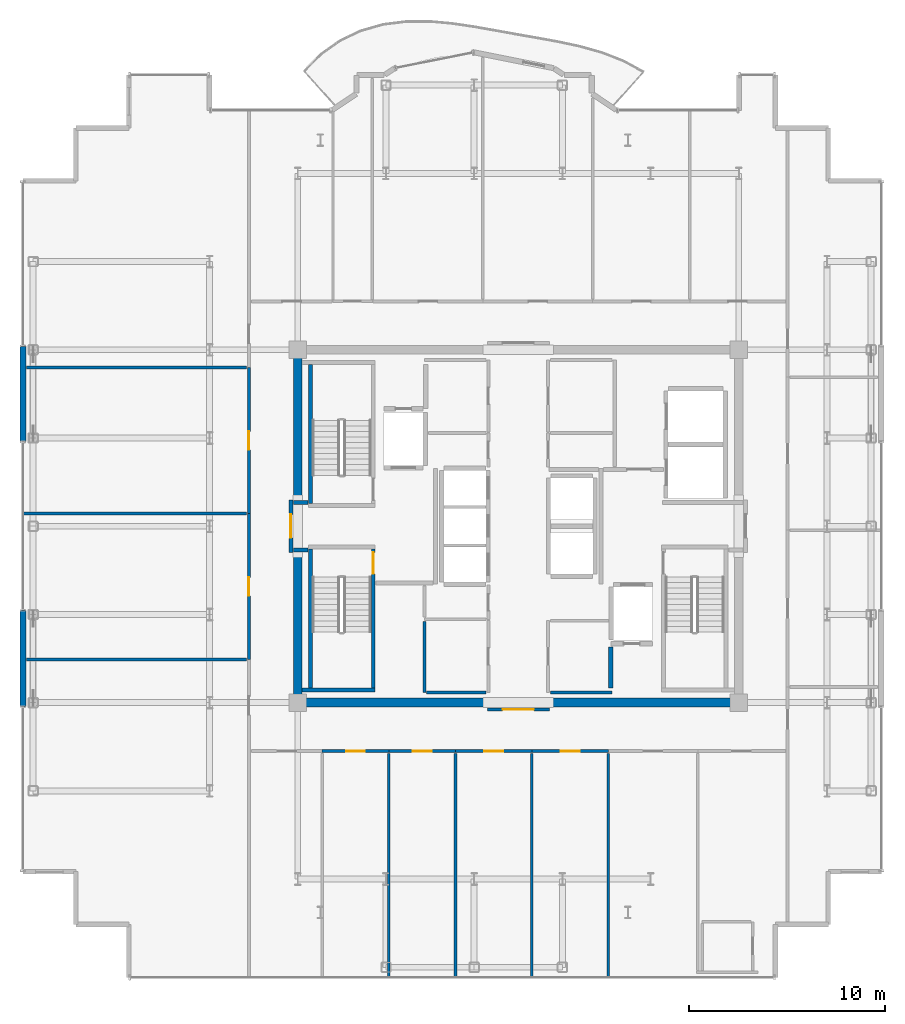
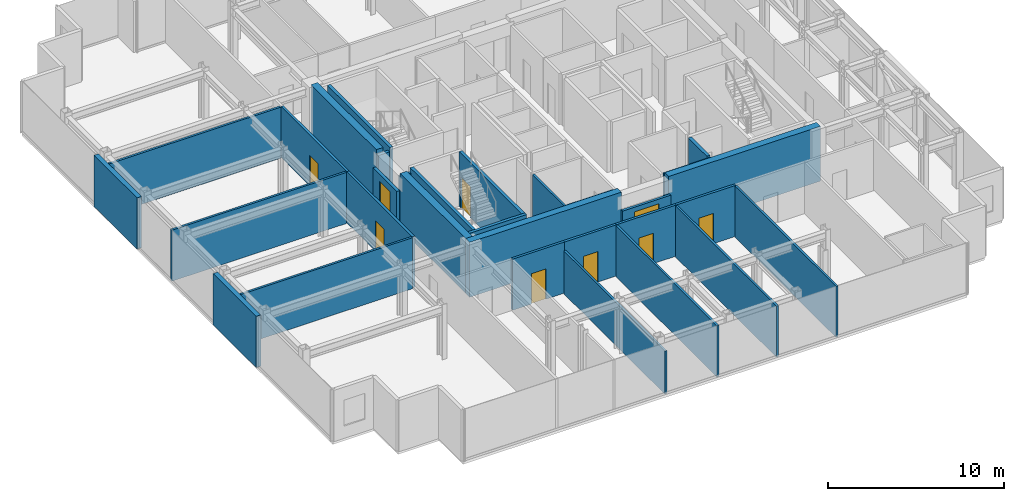
# One storey, part 11 of 16: 31 walls, 9 doors, 9 openings.
"""IFC4 building model written with IfcOpenShell, lengths in metres."""

from ifc_helpers import new_model, si_unit, direction, frame, frame_2d, origin, place, context, subcontext, project, spatial, rectangle, extrude, source, transform, mapped, material, layer, layer_set, type_object, element, fill, save


model = new_model("IFC4")

# Units and contexts
model_context = context("Model", 3, precision=1e-05, world=origin(), true_north=direction((0.0, 1.0)))
body_context = subcontext(model_context, "Body", "Model", "MODEL_VIEW")
ifc_project = project(units=[si_unit("LENGTHUNIT", "METRE"), si_unit("AREAUNIT", "SQUARE_METRE"), si_unit("VOLUMEUNIT", "CUBIC_METRE"), si_unit("PLANEANGLEUNIT", "RADIAN"), si_unit("MASSUNIT", "GRAM", prefix="KILO")], contexts=[model_context])

# Site, building, storey
site_placement = place(None, origin())
site = spatial("IfcSite", under=ifc_project, at=site_placement, CompositionType="ELEMENT")
building_placement = place(site_placement, origin())
building = spatial("IfcBuilding", under=site, at=building_placement, Name="Nefas-Gora Pilgrimage Tower", CompositionType="ELEMENT")
storey_placement = place(building_placement, frame((0.0, 0.0, 310.199951171875)))
storey = spatial("IfcBuildingStorey", under=building, at=storey_placement, Name="L78", CompositionType="ELEMENT", Elevation=310.199951171875)

# Walls
ifc_material_1 = material(Name="Concrete C50/60", Category="concrete")
ifc_layer_1 = layer(ifc_material_1, 0.449951171875)
ifc_layer_set_1 = layer_set([ifc_layer_1], Name="Concrete C50/60")
wall_type_1 = type_object("IfcWallType", Name="SW-CORE-450", PredefinedType="SHEAR", material=ifc_layer_set_1)
shared_shape_1 = source(origin(), body_context, "Body", "SweptSolid", [
    extrude(rectangle(XDim=9.925048828125, YDim=0.449951171875, at=frame_2d((4.96240234375, 0.0))), origin(), (0.0, 0.0, 1.0), 3.800048828125),
])
for number, where, z_axis, x_axis, name in (
    (1, (-11.47509765625, -9.0, 0.0), (0.0, 0.0, 1.0), (1.0, 0.0, 0.0), "L78 Core Shear Wall S-West"),
    (2, (1.550048828125, -9.0, 0.0), (0.0, 0.0, 1.0), (1.0, 0.0, 0.0), "L78 Core Shear Wall S-East"),
):
    element("IfcWall", number, at=place(storey_placement, frame(where, z_axis=z_axis, x_axis=x_axis)), inside=storey, type_object=wall_type_1, Name=name, PredefinedType="SHEAR", context=body_context, shape_type="MappedRepresentation", body=[
        mapped(shared_shape_1, transform((0.0, 0.0, 0.0), x_axis=(1.0, 0.0, 0.0), y_axis=(0.0, 1.0, 0.0), z_axis=(0.0, 0.0, 1.0), scale=1.0)),
    ])
shared_shape_2 = source(origin(), body_context, "Body", "SweptSolid", [
    extrude(rectangle(XDim=7.4248046875, YDim=0.449951171875, at=frame_2d((3.71240234375, 0.0))), origin(), (0.0, 0.0, 1.0), 3.800048828125),
])
for number, where, z_axis, x_axis, name in (
    (3, (-11.25, -8.77490234375, 0.0), (0.0, 0.0, 1.0), (0.0, 1.0, 0.0), "L78 Core Shear Wall W-South"),
    (4, (-11.25, 1.35009765625, 0.0), (0.0, 0.0, 1.0), (0.0, 1.0, 0.0), "L78 Core Shear Wall W-North"),
):
    element("IfcWall", number, at=place(storey_placement, frame(where, z_axis=z_axis, x_axis=x_axis)), inside=storey, type_object=wall_type_1, Name=name, PredefinedType="SHEAR", context=body_context, shape_type="MappedRepresentation", body=[
        mapped(shared_shape_2, transform((0.0, 0.0, 0.0), x_axis=(1.0, 0.0, 0.0), y_axis=(0.0, 1.0, 0.0), z_axis=(0.0, 0.0, 1.0), scale=1.0)),
    ])
ifc_material_2 = material(Name="Precast concrete C45/55", Category="concrete")
ifc_layer_2 = layer(ifc_material_2, 0.239990234375)
ifc_layer_set_2 = layer_set([ifc_layer_2], Name="Precast concrete C45/55")
wall_type_2 = type_object("IfcWallType", Name="EW-SERR-240", PredefinedType="SHEAR", material=ifc_layer_set_2)
shared_shape_3 = source(origin(), body_context, "Body", "SweptSolid", [
    extrude(rectangle(XDim=4.8798828125, YDim=0.300048828125, at=frame_2d((2.43994140625, 0.0))), origin(), (0.0, 0.0, 1.0), 3.550048828125),
])
for number, where, z_axis, x_axis, name in (
    (5, (-25.27001953125, -9.18994140625, 0.0), (0.0, 0.0, 1.0), (0.0, 1.0, 0.0), "L78 Braced-Tube Precast Shear Cladding 1"),
    (6, (-25.27001953125, 4.31005859375, 0.0), (0.0, 0.0, 1.0), (0.0, 1.0, 0.0), "L78 Braced-Tube Precast Shear Cladding 2"),
):
    element("IfcWall", number, at=place(storey_placement, frame(where, z_axis=z_axis, x_axis=x_axis)), inside=storey, type_object=wall_type_2, Name=name, PredefinedType="SHEAR", context=body_context, shape_type="MappedRepresentation", body=[
        mapped(shared_shape_3, transform((0.0, 0.0, 0.0), x_axis=(1.0, 0.0, 0.0), y_axis=(0.0, 1.0, 0.0), z_axis=(0.0, 0.0, 1.0), scale=1.0)),
    ])
ifc_material_3 = material(Name="Concrete C45/55", Category="concrete")
ifc_layer_3 = layer(ifc_material_3, 0.199951171875)
ifc_layer_set_3 = layer_set([ifc_layer_3], Name="Concrete C45/55")
wall_type_3 = type_object("IfcWallType", Name="IW-STAIR-200", PredefinedType="SOLIDWALL", material=ifc_layer_set_3)
shared_shape_4 = source(origin(), body_context, "Body", "SweptSolid", [
    extrude(rectangle(XDim=7.10009765625, YDim=0.199951171875, at=frame_2d((3.550048828125, 0.0))), origin(), (0.0, 0.0, 1.0), 3.800048828125),
])
for number, where, z_axis, x_axis, name in (
    (7, (-10.60009765625, 1.14990234375, 0.0), (0.0, 0.0, 1.0), (0.0, 1.0, 0.0), "L78 Stairwell Shear Wall ST-01-right"),
    (8, (-10.60009765625, -1.14990234375, 0.0), (0.0, 0.0, 1.0), (0.0, -1.0, 0.0), "L78 Stairwell Shear Wall ST-03-left"),
):
    element("IfcWall", number, at=place(storey_placement, frame(where, z_axis=z_axis, x_axis=x_axis)), inside=storey, type_object=wall_type_3, Name=name, PredefinedType="SOLIDWALL", context=body_context, shape_type="MappedRepresentation", body=[
        mapped(shared_shape_4, transform((0.0, 0.0, 0.0), x_axis=(1.0, 0.0, 0.0), y_axis=(0.0, 1.0, 0.0), z_axis=(0.0, 0.0, 1.0), scale=1.0)),
    ])

# Wall, opening, door
wall_1_placement = place(storey_placement, frame((-7.39990234375, -1.14990234375, 0.0), z_axis=(0.0, 0.0, 1.0), x_axis=(0.0, -1.0, 0.0)))
wall_1 = element("IfcWall", 9, at=wall_1_placement, inside=storey, type_object=wall_type_3, Name="L78 Stairwell Shear Wall ST-03-right", PredefinedType="SOLIDWALL", context=body_context, shape_type="MappedRepresentation", body=[
    mapped(shared_shape_4, transform((0.0, 0.0, 0.0), x_axis=(1.0, 0.0, 0.0), y_axis=(0.0, 1.0, 0.0), z_axis=(0.0, 0.0, 1.0), scale=1.0)),
])
opening_1_placement = place(wall_1_placement, frame((0.179931640625, 0.0, 0.0)))
opening_1 = element("IfcOpeningElement", 10, at=opening_1_placement, cuts=wall_1, Name="Opening ID-ST1", PredefinedType="OPENING", context=body_context, shape_type="SweptSolid", body=[
    extrude(rectangle(XDim=1.10009765625, YDim=2.14990234375, at=frame_2d((0.550048828125, 1.074951171875))), frame((0.0, 0.10986328125, 0.0), z_axis=(0.0, -1.0, 0.0), x_axis=(1.0, 0.0, 0.0)), (0.0, 0.0, 1.0), 0.219970703125),
])
ifc_material_4 = material(Name="Painted galvanised steel fire stair door", Category="steel")
door_type_1 = type_object("IfcDoorType", Name="DR-INT-STAIR-1100", OperationType="NOTDEFINED", PredefinedType="DOOR", material=ifc_material_4)
shared_shape_5 = source(origin(), body_context, "Body", "SweptSolid", [
    extrude(rectangle(XDim=1.10009765625, YDim=2.14990234375, at=frame_2d((0.550048828125, 1.074951171875))), frame((0.0, 0.02490234375, 0.0), z_axis=(0.0, -1.0, 0.0), x_axis=(1.0, 0.0, 0.0)), (0.0, 0.0, 1.0), 0.050048828125),
])
door_1_placement = place(opening_1_placement, origin())
door_1 = element("IfcDoor", 11, at=door_1_placement, inside=storey, type_object=door_type_1, Name="L78 Protected Exit Stair Door ST-03", OperationType="SINGLE_SWING_RIGHT", OverallHeight=2.14990234375, OverallWidth=1.10009765625, PredefinedType="DOOR", context=body_context, shape_type="MappedRepresentation", body=[
    mapped(shared_shape_5, transform((0.0, 0.0, 0.0), x_axis=(1.0, 0.0, 0.0), y_axis=(0.0, 1.0, 0.0), z_axis=(0.0, 0.0, 1.0), scale=1.0)),
])
fill(opening_1, door_1)

# Walls
shared_shape_6 = source(origin(), body_context, "Body", "SweptSolid", [
    extrude(rectangle(XDim=3.72998046875, YDim=0.199951171875, at=frame_2d((1.864990234375, 0.0))), origin(), (0.0, 0.0, 1.0), 3.800048828125),
])
wall_2_placement = place(storey_placement, frame((-11.030029296875, -8.35009765625, 0.0), z_axis=(0.0, 0.0, 1.0), x_axis=(1.0, 0.0, 0.0)))
element("IfcWall", 12, at=wall_2_placement, inside=storey, type_object=wall_type_3, Name="L78 Stairwell Shear Wall ST-03-far", PredefinedType="SOLIDWALL", context=body_context, shape_type="MappedRepresentation", body=[
    mapped(shared_shape_6, transform((0.0, 0.0, 0.0), x_axis=(1.0, 0.0, 0.0), y_axis=(0.0, 1.0, 0.0), z_axis=(0.0, 0.0, 1.0), scale=1.0)),
])
ifc_material_5 = material(Name="Gypsum fire-rated shaftwall")
ifc_layer_4 = layer(ifc_material_5, 0.199951171875)
ifc_layer_set_4 = layer_set([ifc_layer_4], Name="Gypsum fire-rated shaftwall")
wall_type_4 = type_object("IfcWallType", Name="IW-FFLOB-200", PredefinedType="PARTITIONING", material=ifc_layer_set_4)
shared_shape_7 = source(origin(), body_context, "Body", "SweptSolid", [
    extrude(rectangle(XDim=0.719970703125, YDim=0.199951171875, at=frame_2d((0.35986328125, 0.0))), origin(), (0.0, 0.0, 1.0), 3.53515625),
])
for number, where, z_axis, x_axis, name in (
    (13, (-11.4599609375, 1.219970703125, 0.0), (0.0, 0.0, 1.0), (1.0, 0.0, 0.0), "L78 FF Lobby West Throat N Wall 8"),
    (14, (-11.4599609375, -1.219970703125, 0.0), (0.0, 0.0, 1.0), (1.0, 0.0, 0.0), "L78 FF Lobby West Throat S Wall 9"),
):
    element("IfcWall", number, at=place(storey_placement, frame(where, z_axis=z_axis, x_axis=x_axis)), inside=storey, type_object=wall_type_4, Name=name, PredefinedType="PARTITIONING", context=body_context, shape_type="MappedRepresentation", body=[
        mapped(shared_shape_7, transform((0.0, 0.0, 0.0), x_axis=(1.0, 0.0, 0.0), y_axis=(0.0, 1.0, 0.0), z_axis=(0.0, 0.0, 1.0), scale=1.0)),
    ])
ifc_material_6 = material(Name="Gypsum twin-stud partition")
ifc_layer_5 = layer(ifc_material_6, 0.139892578125)
ifc_layer_set_5 = layer_set([ifc_layer_5], Name="Gypsum twin-stud partition")
wall_type_5 = type_object("IfcWallType", Name="IW-UNIT-140", PredefinedType="PARTITIONING", material=ifc_layer_set_5)
shared_shape_8 = source(origin(), body_context, "Body", "SweptSolid", [
    extrude(rectangle(XDim=3.150146484375, YDim=0.139892578125, at=frame_2d((1.5751953125, 0.0))), origin(), (0.0, 0.0, 1.0), 3.53515625),
])
wall_3_placement = place(storey_placement, frame((1.639892578125, -8.47998046875, 0.0), z_axis=(0.0, 0.0, 1.0), x_axis=(1.0, 0.0, 0.0)))
element("IfcWall", 15, at=wall_3_placement, inside=storey, type_object=wall_type_5, Name="L78 High-Rise Tableware Store Partition Wall 39", PredefinedType="PARTITIONING", context=body_context, shape_type="MappedRepresentation", body=[
    mapped(shared_shape_8, transform((0.0, 0.0, 0.0), x_axis=(1.0, 0.0, 0.0), y_axis=(0.0, 1.0, 0.0), z_axis=(0.0, 0.0, 1.0), scale=1.0)),
])

# Wall, opening, door
ifc_material_7 = material(Name="Gypsum acoustic stud partition")
ifc_layer_6 = layer(ifc_material_7, 0.159912109375)
ifc_layer_set_6 = layer_set([ifc_layer_6], Name="Gypsum acoustic stud partition")
wall_type_6 = type_object("IfcWallType", Name="IW-CORR-160", PredefinedType="PARTITIONING", material=ifc_layer_set_6)
shared_shape_9 = source(origin(), body_context, "Body", "SweptSolid", [
    extrude(rectangle(XDim=3.905029296875, YDim=0.159912109375, at=frame_2d((1.95263671875, 0.0))), origin(), (0.0, 0.0, 1.0), 3.53515625),
])
wall_4_placement = place(storey_placement, frame((-3.205078125, -11.469970703125, 0.0), z_axis=(0.0, 0.0, 1.0), x_axis=(1.0, 0.0, 0.0)))
wall_4 = element("IfcWall", 16, at=wall_4_placement, inside=storey, type_object=wall_type_6, Name="L78 Pilgrim Contemplative Lounge Partition Wall 71", PredefinedType="PARTITIONING", context=body_context, shape_type="MappedRepresentation", body=[
    mapped(shared_shape_9, transform((0.0, 0.0, 0.0), x_axis=(1.0, 0.0, 0.0), y_axis=(0.0, 1.0, 0.0), z_axis=(0.0, 0.0, 1.0), scale=1.0)),
])
opening_2_placement = place(wall_4_placement, frame((1.4775390625, 0.0, 0.0)))
opening_2 = element("IfcOpeningElement", 17, at=opening_2_placement, cuts=wall_4, Name="Opening ID-GR1", PredefinedType="OPENING", context=body_context, shape_type="SweptSolid", body=[
    extrude(rectangle(XDim=0.949951171875, YDim=2.10009765625, at=frame_2d((0.47509765625, 1.050048828125))), frame((0.0, 0.08984375, 0.0), z_axis=(0.0, -1.0, 0.0), x_axis=(1.0, 0.0, 0.0)), (0.0, 0.0, 1.0), 0.179931640625),
])
ifc_material_8 = material(Name="Solid core oak fire-rated guest entrance door")
door_type_2 = type_object("IfcDoorType", Name="DR-INT-GUEST-950", OperationType="NOTDEFINED", PredefinedType="DOOR", material=ifc_material_8)
shared_shape_10 = source(origin(), body_context, "Body", "SweptSolid", [
    extrude(rectangle(XDim=0.949951171875, YDim=2.10009765625, at=frame_2d((0.47509765625, 1.050048828125))), frame((0.0, 0.02490234375, 0.0), z_axis=(0.0, -1.0, 0.0), x_axis=(1.0, 0.0, 0.0)), (0.0, 0.0, 1.0), 0.050048828125),
])
door_2_placement = place(opening_2_placement, origin())
door_2 = element("IfcDoor", 18, at=door_2_placement, inside=storey, type_object=door_type_2, Name="L78 Pilgrim Contemplative Lounge Door 33", OperationType="SINGLE_SWING_RIGHT", OverallHeight=2.10009765625, OverallWidth=0.949951171875, PredefinedType="DOOR", context=body_context, shape_type="MappedRepresentation", body=[
    mapped(shared_shape_10, transform((0.0, 0.0, 0.0), x_axis=(1.0, 0.0, 0.0), y_axis=(0.0, 1.0, 0.0), z_axis=(0.0, 0.0, 1.0), scale=1.0)),
])
fill(opening_2, door_2)

wall_5_placement = place(storey_placement, frame((0.699951171875, -11.469970703125, 0.0), z_axis=(0.0, 0.0, 1.0), x_axis=(1.0, 0.0, 0.0)))
wall_5 = element("IfcWall", 19, at=wall_5_placement, inside=storey, type_object=wall_type_6, Name="L78 Pilgrim Contemplative Lounge Partition Wall 73", PredefinedType="PARTITIONING", context=body_context, shape_type="MappedRepresentation", body=[
    mapped(shared_shape_9, transform((0.0, 0.0, 0.0), x_axis=(1.0, 0.0, 0.0), y_axis=(0.0, 1.0, 0.0), z_axis=(0.0, 0.0, 1.0), scale=1.0)),
])
opening_3_placement = place(wall_5_placement, frame((1.4775390625, 0.0, 0.0)))
opening_3 = element("IfcOpeningElement", 20, at=opening_3_placement, cuts=wall_5, Name="Opening ID-GR1", PredefinedType="OPENING", context=body_context, shape_type="SweptSolid", body=[
    extrude(rectangle(XDim=0.949951171875, YDim=2.10009765625, at=frame_2d((0.47509765625, 1.050048828125))), frame((0.0, 0.08984375, 0.0), z_axis=(0.0, -1.0, 0.0), x_axis=(1.0, 0.0, 0.0)), (0.0, 0.0, 1.0), 0.179931640625),
])
door_3_placement = place(opening_3_placement, origin())
door_3 = element("IfcDoor", 21, at=door_3_placement, inside=storey, type_object=door_type_2, Name="L78 Pilgrim Contemplative Lounge Door 34", OperationType="SINGLE_SWING_LEFT", OverallHeight=2.10009765625, OverallWidth=0.949951171875, PredefinedType="DOOR", context=body_context, shape_type="MappedRepresentation", body=[
    mapped(shared_shape_10, transform((0.0, 0.0, 0.0), x_axis=(1.0, 0.0, 0.0), y_axis=(0.0, 1.0, 0.0), z_axis=(0.0, 0.0, 1.0), scale=1.0)),
])
fill(opening_3, door_3)

# Walls
shared_shape_11 = source(origin(), body_context, "Body", "SweptSolid", [
    extrude(rectangle(XDim=11.429931640625, YDim=0.139892578125, at=frame_2d((5.71484375, 0.0))), origin(), (0.0, 0.0, 1.0), 3.53515625),
])
wall_6_placement = place(storey_placement, frame((-25.2900390625, 0.6513671875, 0.0), z_axis=(0.0, 0.0, 1.0), x_axis=(1.0, 0.0, 0.0)))
element("IfcWall", 22, at=wall_6_placement, inside=storey, type_object=wall_type_5, Name="L78 Pilgrim Devotional Prayer Gallery Partition Wall 48", PredefinedType="PARTITIONING", context=body_context, shape_type="MappedRepresentation", body=[
    mapped(shared_shape_11, transform((0.0, 0.0, 0.0), x_axis=(1.0, 0.0, 0.0), y_axis=(0.0, 1.0, 0.0), z_axis=(0.0, 0.0, 1.0), scale=1.0)),
])
shared_shape_12 = source(origin(), body_context, "Body", "SweptSolid", [
    extrude(rectangle(XDim=11.219970703125, YDim=0.139892578125, at=frame_2d((5.60986328125, 0.0))), origin(), (0.0, 0.0, 1.0), 3.53515625),
])
for number, where, z_axis, x_axis, name in (
    (23, (-25.080078125, -6.804931640625, 0.0), (0.0, 0.0, 1.0), (1.0, 0.0, 0.0), "L78 Pilgrim Devotional Prayer Gallery Partition Wall 44"),
    (24, (-25.080078125, 8.097412109375, 0.0), (0.0, 0.0, 1.0), (1.0, 0.0, 0.0), "L78 Pilgrim Devotional Prayer Gallery Partition Wall 46"),
):
    element("IfcWall", number, at=place(storey_placement, frame(where, z_axis=z_axis, x_axis=x_axis)), inside=storey, type_object=wall_type_5, Name=name, PredefinedType="PARTITIONING", context=body_context, shape_type="MappedRepresentation", body=[
        mapped(shared_shape_12, transform((0.0, 0.0, 0.0), x_axis=(1.0, 0.0, 0.0), y_axis=(0.0, 1.0, 0.0), z_axis=(0.0, 0.0, 1.0), scale=1.0)),
    ])

# Wall, opening, door
shared_shape_13 = source(origin(), body_context, "Body", "SweptSolid", [
    extrude(rectangle(XDim=2.7001953125, YDim=0.199951171875, at=frame_2d((1.35009765625, 0.0))), origin(), (0.0, 0.0, 1.0), 2.625),
])
wall_7_placement = place(storey_placement, frame((-11.60009765625, -1.35009765625, 0.0), z_axis=(0.0, 0.0, 1.0), x_axis=(0.0, 1.0, 0.0)))
wall_7 = element("IfcWall", 25, at=wall_7_placement, inside=storey, type_object=wall_type_4, Name="L78 FF Lobby West Portal Wall 5", PredefinedType="PARTITIONING", context=body_context, shape_type="MappedRepresentation", body=[
    mapped(shared_shape_13, transform((0.0, 0.0, 0.0), x_axis=(1.0, 0.0, 0.0), y_axis=(0.0, 1.0, 0.0), z_axis=(0.0, 0.0, 1.0), scale=1.0)),
])
opening_4_placement = place(wall_7_placement, frame((0.75, 0.0, 0.0)))
opening_4 = element("IfcOpeningElement", 26, at=opening_4_placement, cuts=wall_7, Name="Opening ID-FF1", PredefinedType="OPENING", context=body_context, shape_type="SweptSolid", body=[
    extrude(rectangle(XDim=1.199951171875, YDim=2.14990234375, at=frame_2d((0.60009765625, 1.074951171875))), frame((0.0, 0.10986328125, 0.0), z_axis=(0.0, -1.0, 0.0), x_axis=(1.0, 0.0, 0.0)), (0.0, 0.0, 1.0), 0.219970703125),
])
ifc_material_9 = material(Name="Smoke-sealed steel firefighting lobby door", Category="steel")
door_type_3 = type_object("IfcDoorType", Name="DR-INT-FFLOB-1200", OperationType="NOTDEFINED", PredefinedType="DOOR", material=ifc_material_9)
shared_shape_14 = source(origin(), body_context, "Body", "SweptSolid", [
    extrude(rectangle(XDim=1.199951171875, YDim=2.14990234375, at=frame_2d((0.60009765625, 1.074951171875))), frame((0.0, 0.02490234375, 0.0), z_axis=(0.0, -1.0, 0.0), x_axis=(1.0, 0.0, 0.0)), (0.0, 0.0, 1.0), 0.050048828125),
])
door_4_placement = place(opening_4_placement, origin())
door_4 = element("IfcDoor", 27, at=door_4_placement, inside=storey, type_object=door_type_3, Name="L78 FF Lobby West Portal Door 3", OperationType="SINGLE_SWING_RIGHT", OverallHeight=2.14990234375, OverallWidth=1.199951171875, PredefinedType="DOOR", context=body_context, shape_type="MappedRepresentation", body=[
    mapped(shared_shape_14, transform((0.0, 0.0, 0.0), x_axis=(1.0, 0.0, 0.0), y_axis=(0.0, 1.0, 0.0), z_axis=(0.0, 0.0, 1.0), scale=1.0)),
])
fill(opening_4, door_4)

shared_shape_15 = source(origin(), body_context, "Body", "SweptSolid", [
    extrude(rectangle(XDim=3.16015625, YDim=0.159912109375, at=frame_2d((1.580078125, 0.0))), origin(), (0.0, 0.0, 1.0), 2.625),
])
wall_8_placement = place(storey_placement, frame((-1.580078125, -9.35009765625, 0.0), z_axis=(0.0, 0.0, 1.0), x_axis=(1.0, 0.0, 0.0)))
wall_8 = element("IfcWall", 28, at=wall_8_placement, inside=storey, type_object=wall_type_6, Name="L78 Central Lift Lobby South Portal Wall 17", PredefinedType="PARTITIONING", context=body_context, shape_type="MappedRepresentation", body=[
    mapped(shared_shape_15, transform((0.0, 0.0, 0.0), x_axis=(1.0, 0.0, 0.0), y_axis=(0.0, 1.0, 0.0), z_axis=(0.0, 0.0, 1.0), scale=1.0)),
])
opening_5_placement = place(wall_8_placement, frame((0.780029296875, 0.0, 0.0)))
opening_5 = element("IfcOpeningElement", 29, at=opening_5_placement, cuts=wall_8, Name="Opening ID-HL1", PredefinedType="OPENING", context=body_context, shape_type="SweptSolid", body=[
    extrude(rectangle(XDim=1.60009765625, YDim=2.300048828125, at=frame_2d((0.800048828125, 1.14990234375))), frame((0.0, 0.08984375, 0.0), z_axis=(0.0, -1.0, 0.0), x_axis=(1.0, 0.0, 0.0)), (0.0, 0.0, 1.0), 0.179931640625),
])
ifc_material_10 = material(Name="Double acoustic timber assembly hall door", Category="wood")
door_type_4 = type_object("IfcDoorType", Name="DR-INT-HALL-1600", OperationType="DOUBLE_DOOR_SINGLE_SWING", PredefinedType="DOOR", material=ifc_material_10)
shared_shape_16 = source(origin(), body_context, "Body", "SweptSolid", [
    extrude(rectangle(XDim=1.60009765625, YDim=2.300048828125, at=frame_2d((0.800048828125, 1.14990234375))), frame((0.0, 0.02490234375, 0.0), z_axis=(0.0, -1.0, 0.0), x_axis=(1.0, 0.0, 0.0)), (0.0, 0.0, 1.0), 0.050048828125),
])
door_5_placement = place(opening_5_placement, origin())
door_5 = element("IfcDoor", 30, at=door_5_placement, inside=storey, type_object=door_type_4, Name="L78 Central Lift Lobby South Portal Door 7", OperationType="DOUBLE_DOOR_SINGLE_SWING", OverallHeight=2.300048828125, OverallWidth=1.60009765625, PredefinedType="DOOR", context=body_context, shape_type="MappedRepresentation", body=[
    mapped(shared_shape_16, transform((0.0, 0.0, 0.0), x_axis=(1.0, 0.0, 0.0), y_axis=(0.0, 1.0, 0.0), z_axis=(0.0, 0.0, 1.0), scale=1.0)),
])
fill(opening_5, door_5)

# Walls
ifc_material_11 = material(Name="Concrete C40/50", Category="concrete")
ifc_layer_7 = layer(ifc_material_11, 0.219970703125)
ifc_layer_set_7 = layer_set([ifc_layer_7], Name="Concrete C40/50")
wall_type_7 = type_object("IfcWallType", Name="IW-SHAFT-220", PredefinedType="SOLIDWALL", material=ifc_layer_set_7)
shared_shape_17 = source(origin(), body_context, "Body", "SweptSolid", [
    extrude(rectangle(XDim=2.10009765625, YDim=0.219970703125, at=frame_2d((1.050048828125, 0.0))), origin(), (0.0, 0.0, 1.0), 3.53515625),
])
wall_9_placement = place(storey_placement, frame((4.719970703125, -8.25, 0.0), z_axis=(0.0, 0.0, 1.0), x_axis=(0.0, 1.0, 0.0)))
element("IfcWall", 31, at=wall_9_placement, inside=storey, type_object=wall_type_7, Name="L78 Riser Shaft Wall 4", PredefinedType="SOLIDWALL", context=body_context, shape_type="MappedRepresentation", body=[
    mapped(shared_shape_17, transform((0.0, 0.0, 0.0), x_axis=(1.0, 0.0, 0.0), y_axis=(0.0, 1.0, 0.0), z_axis=(0.0, 0.0, 1.0), scale=1.0)),
])
shared_shape_18 = source(origin(), body_context, "Body", "SweptSolid", [
    extrude(rectangle(XDim=3.6298828125, YDim=0.139892578125, at=frame_2d((1.81494140625, 0.0))), origin(), (0.0, 0.0, 1.0), 3.53515625),
])
wall_10_placement = place(storey_placement, frame((-4.780029296875, -8.489990234375, 0.0), z_axis=(0.0, 0.0, 1.0), x_axis=(0.0, 1.0, 0.0)))
element("IfcWall", 32, at=wall_10_placement, inside=storey, type_object=wall_type_5, Name="L78 High-Rise Linen Store Partition Wall 35", PredefinedType="PARTITIONING", context=body_context, shape_type="MappedRepresentation", body=[
    mapped(shared_shape_18, transform((0.0, 0.0, 0.0), x_axis=(1.0, 0.0, 0.0), y_axis=(0.0, 1.0, 0.0), z_axis=(0.0, 0.0, 1.0), scale=1.0)),
])
shared_shape_19 = source(origin(), body_context, "Body", "SweptSolid", [
    extrude(rectangle(XDim=3.030029296875, YDim=0.139892578125, at=frame_2d((1.51513671875, 0.0))), origin(), (0.0, 0.0, 1.0), 3.53515625),
])
wall_11_placement = place(storey_placement, frame((-4.669921875, -8.47998046875, 0.0), z_axis=(0.0, 0.0, 1.0), x_axis=(1.0, 0.0, 0.0)))
element("IfcWall", 33, at=wall_11_placement, inside=storey, type_object=wall_type_5, Name="L78 High-Rise Linen Store Partition Wall 36", PredefinedType="PARTITIONING", context=body_context, shape_type="MappedRepresentation", body=[
    mapped(shared_shape_19, transform((0.0, 0.0, 0.0), x_axis=(1.0, 0.0, 0.0), y_axis=(0.0, 1.0, 0.0), z_axis=(0.0, 0.0, 1.0), scale=1.0)),
])
shared_shape_20 = source(origin(), body_context, "Body", "SweptSolid", [
    extrude(rectangle(XDim=11.449951171875, YDim=0.139892578125, at=frame_2d((5.72509765625, 0.0))), origin(), (0.0, 0.0, 1.0), 3.53515625),
])
for number, where, z_axis, x_axis, name in (
    (34, (-3.205078125, -23.0400390625, 0.0), (0.0, 0.0, 1.0), (0.0, 1.0, 0.0), "L78 Pastoral Chaplains Counselling Office Partition Wall 70"),
    (35, (0.68994140625, -23.0400390625, 0.0), (0.0, 0.0, 1.0), (0.0, 1.0, 0.0), "L78 Pilgrim Contemplative Lounge Partition Wall 72"),
    (36, (4.594970703125, -23.0400390625, 0.0), (0.0, 0.0, 1.0), (0.0, 1.0, 0.0), "L78 Pilgrim Contemplative Lounge Partition Wall 74"),
):
    element("IfcWall", number, at=place(storey_placement, frame(where, z_axis=z_axis, x_axis=x_axis)), inside=storey, type_object=wall_type_5, Name=name, PredefinedType="PARTITIONING", context=body_context, shape_type="MappedRepresentation", body=[
        mapped(shared_shape_20, transform((0.0, 0.0, 0.0), x_axis=(1.0, 0.0, 0.0), y_axis=(0.0, 1.0, 0.0), z_axis=(0.0, 0.0, 1.0), scale=1.0)),
    ])
shared_shape_21 = source(origin(), body_context, "Body", "SweptSolid", [
    extrude(rectangle(XDim=11.449951171875, YDim=0.139892578125, at=frame_2d((5.72509765625, 0.0))), origin(), (0.0, 0.0, 1.0), 2.97509765625),
])
wall_12_placement = place(storey_placement, frame((-6.610107421875, -23.0400390625, 0.0), z_axis=(0.0, 0.0, 1.0), x_axis=(0.0, 1.0, 0.0)))
element("IfcWall", 37, at=wall_12_placement, inside=storey, type_object=wall_type_5, Name="L78 Pilgrim Contemplative Lounge Partition Wall 68", PredefinedType="PARTITIONING", context=body_context, shape_type="MappedRepresentation", body=[
    mapped(shared_shape_21, transform((0.0, 0.0, 0.0), x_axis=(1.0, 0.0, 0.0), y_axis=(0.0, 1.0, 0.0), z_axis=(0.0, 0.0, 1.0), scale=1.0)),
])

# Wall, opening, door
shared_shape_22 = source(origin(), body_context, "Body", "SweptSolid", [
    extrude(rectangle(XDim=7.446044921875, YDim=0.159912109375, at=frame_2d((3.72314453125, 0.0))), origin(), (0.0, 0.0, 1.0), 3.53515625),
])
wall_13_placement = place(storey_placement, frame((-13.739990234375, 0.641357421875, 0.0), z_axis=(0.0, 0.0, 1.0), x_axis=(0.0, 1.0, 0.0)))
wall_13 = element("IfcWall", 38, at=wall_13_placement, inside=storey, type_object=wall_type_6, Name="L78 Pilgrim Devotional Prayer Gallery Partition Wall 47", PredefinedType="PARTITIONING", context=body_context, shape_type="MappedRepresentation", body=[
    mapped(shared_shape_22, transform((0.0, 0.0, 0.0), x_axis=(1.0, 0.0, 0.0), y_axis=(0.0, 1.0, 0.0), z_axis=(0.0, 0.0, 1.0), scale=1.0)),
])
opening_6_placement = place(wall_13_placement, frame((3.248046875, 0.0, 0.0)))
opening_6 = element("IfcOpeningElement", 39, at=opening_6_placement, cuts=wall_13, Name="Opening ID-GR1", PredefinedType="OPENING", context=body_context, shape_type="SweptSolid", body=[
    extrude(rectangle(XDim=0.949951171875, YDim=2.10009765625, at=frame_2d((0.47509765625, 1.050048828125))), frame((0.0, 0.08984375, 0.0), z_axis=(0.0, -1.0, 0.0), x_axis=(1.0, 0.0, 0.0)), (0.0, 0.0, 1.0), 0.179931640625),
])
door_6_placement = place(opening_6_placement, origin())
door_6 = element("IfcDoor", 40, at=door_6_placement, inside=storey, type_object=door_type_2, Name="L78 Pilgrim Devotional Prayer Gallery Door 19", OperationType="SINGLE_SWING_RIGHT", OverallHeight=2.10009765625, OverallWidth=0.949951171875, PredefinedType="DOOR", context=body_context, shape_type="MappedRepresentation", body=[
    mapped(shared_shape_10, transform((0.0, 0.0, 0.0), x_axis=(1.0, 0.0, 0.0), y_axis=(0.0, 1.0, 0.0), z_axis=(0.0, 0.0, 1.0), scale=1.0)),
])
fill(opening_6, door_6)

shared_shape_23 = source(origin(), body_context, "Body", "SweptSolid", [
    extrude(rectangle(XDim=7.4462890625, YDim=0.159912109375, at=frame_2d((3.72314453125, 0.0))), origin(), (0.0, 0.0, 1.0), 3.53515625),
])
wall_14_placement = place(storey_placement, frame((-13.739990234375, -6.804931640625, 0.0), z_axis=(0.0, 0.0, 1.0), x_axis=(0.0, 1.0, 0.0)))
wall_14 = element("IfcWall", 41, at=wall_14_placement, inside=storey, type_object=wall_type_6, Name="L78 Pilgrim Tea and Beverage Pantry Partition Wall 49", PredefinedType="PARTITIONING", context=body_context, shape_type="MappedRepresentation", body=[
    mapped(shared_shape_23, transform((0.0, 0.0, 0.0), x_axis=(1.0, 0.0, 0.0), y_axis=(0.0, 1.0, 0.0), z_axis=(0.0, 0.0, 1.0), scale=1.0)),
])
opening_7_placement = place(wall_14_placement, frame((3.248046875, 0.0, 0.0)))
opening_7 = element("IfcOpeningElement", 42, at=opening_7_placement, cuts=wall_14, Name="Opening ID-GR1", PredefinedType="OPENING", context=body_context, shape_type="SweptSolid", body=[
    extrude(rectangle(XDim=0.949951171875, YDim=2.10009765625, at=frame_2d((0.47509765625, 1.050048828125))), frame((0.0, 0.08984375, 0.0), z_axis=(0.0, -1.0, 0.0), x_axis=(1.0, 0.0, 0.0)), (0.0, 0.0, 1.0), 0.179931640625),
])
door_7_placement = place(opening_7_placement, origin())
door_7 = element("IfcDoor", 43, at=door_7_placement, inside=storey, type_object=door_type_2, Name="L78 Pilgrim Tea and Beverage Pantry Door 20", OperationType="SINGLE_SWING_LEFT", OverallHeight=2.10009765625, OverallWidth=0.949951171875, PredefinedType="DOOR", context=body_context, shape_type="MappedRepresentation", body=[
    mapped(shared_shape_10, transform((0.0, 0.0, 0.0), x_axis=(1.0, 0.0, 0.0), y_axis=(0.0, 1.0, 0.0), z_axis=(0.0, 0.0, 1.0), scale=1.0)),
])
fill(opening_7, door_7)

shared_shape_24 = source(origin(), body_context, "Body", "SweptSolid", [
    extrude(rectangle(XDim=3.40478515625, YDim=0.159912109375, at=frame_2d((1.702392578125, 0.0))), origin(), (0.0, 0.0, 1.0), 3.53515625),
])
wall_15_placement = place(storey_placement, frame((-10.0048828125, -11.469970703125, 0.0), z_axis=(0.0, 0.0, 1.0), x_axis=(1.0, 0.0, 0.0)))
wall_15 = element("IfcWall", 44, at=wall_15_placement, inside=storey, type_object=wall_type_6, Name="L78 Pilgrim Contemplative Lounge Partition Wall 67", PredefinedType="PARTITIONING", context=body_context, shape_type="MappedRepresentation", body=[
    mapped(shared_shape_24, transform((0.0, 0.0, 0.0), x_axis=(1.0, 0.0, 0.0), y_axis=(0.0, 1.0, 0.0), z_axis=(0.0, 0.0, 1.0), scale=1.0)),
])
opening_8_placement = place(wall_15_placement, frame((1.2275390625, 0.0, 0.0)))
opening_8 = element("IfcOpeningElement", 45, at=opening_8_placement, cuts=wall_15, Name="Opening ID-GR1", PredefinedType="OPENING", context=body_context, shape_type="SweptSolid", body=[
    extrude(rectangle(XDim=0.949951171875, YDim=2.10009765625, at=frame_2d((0.47509765625, 1.050048828125))), frame((0.0, 0.08984375, 0.0), z_axis=(0.0, -1.0, 0.0), x_axis=(1.0, 0.0, 0.0)), (0.0, 0.0, 1.0), 0.179931640625),
])
door_8_placement = place(opening_8_placement, origin())
door_8 = element("IfcDoor", 46, at=door_8_placement, inside=storey, type_object=door_type_2, Name="L78 Pilgrim Contemplative Lounge Door 31", OperationType="SINGLE_SWING_RIGHT", OverallHeight=2.10009765625, OverallWidth=0.949951171875, PredefinedType="DOOR", context=body_context, shape_type="MappedRepresentation", body=[
    mapped(shared_shape_10, transform((0.0, 0.0, 0.0), x_axis=(1.0, 0.0, 0.0), y_axis=(0.0, 1.0, 0.0), z_axis=(0.0, 0.0, 1.0), scale=1.0)),
])
fill(opening_8, door_8)

shared_shape_25 = source(origin(), body_context, "Body", "SweptSolid", [
    extrude(rectangle(XDim=3.405029296875, YDim=0.159912109375, at=frame_2d((1.70263671875, 0.0))), origin(), (0.0, 0.0, 1.0), 3.53515625),
])
wall_16_placement = place(storey_placement, frame((-6.60009765625, -11.469970703125, 0.0), z_axis=(0.0, 0.0, 1.0), x_axis=(1.0, 0.0, 0.0)))
wall_16 = element("IfcWall", 47, at=wall_16_placement, inside=storey, type_object=wall_type_6, Name="L78 Pastoral Chaplains Counselling Office Partition Wall 69", PredefinedType="PARTITIONING", context=body_context, shape_type="MappedRepresentation", body=[
    mapped(shared_shape_25, transform((0.0, 0.0, 0.0), x_axis=(1.0, 0.0, 0.0), y_axis=(0.0, 1.0, 0.0), z_axis=(0.0, 0.0, 1.0), scale=1.0)),
])
opening_9_placement = place(wall_16_placement, frame((1.2275390625, 0.0, 0.0)))
opening_9 = element("IfcOpeningElement", 48, at=opening_9_placement, cuts=wall_16, Name="Opening ID-GR1", PredefinedType="OPENING", context=body_context, shape_type="SweptSolid", body=[
    extrude(rectangle(XDim=0.949951171875, YDim=2.10009765625, at=frame_2d((0.47509765625, 1.050048828125))), frame((0.0, 0.08984375, 0.0), z_axis=(0.0, -1.0, 0.0), x_axis=(1.0, 0.0, 0.0)), (0.0, 0.0, 1.0), 0.179931640625),
])
door_9_placement = place(opening_9_placement, origin())
door_9 = element("IfcDoor", 49, at=door_9_placement, inside=storey, type_object=door_type_2, Name="L78 Pastoral Chaplains Counselling Office Door 32", OperationType="SINGLE_SWING_LEFT", OverallHeight=2.10009765625, OverallWidth=0.949951171875, PredefinedType="DOOR", context=body_context, shape_type="MappedRepresentation", body=[
    mapped(shared_shape_10, transform((0.0, 0.0, 0.0), x_axis=(1.0, 0.0, 0.0), y_axis=(0.0, 1.0, 0.0), z_axis=(0.0, 0.0, 1.0), scale=1.0)),
])
fill(opening_9, door_9)

save(model, "model.ifc")
